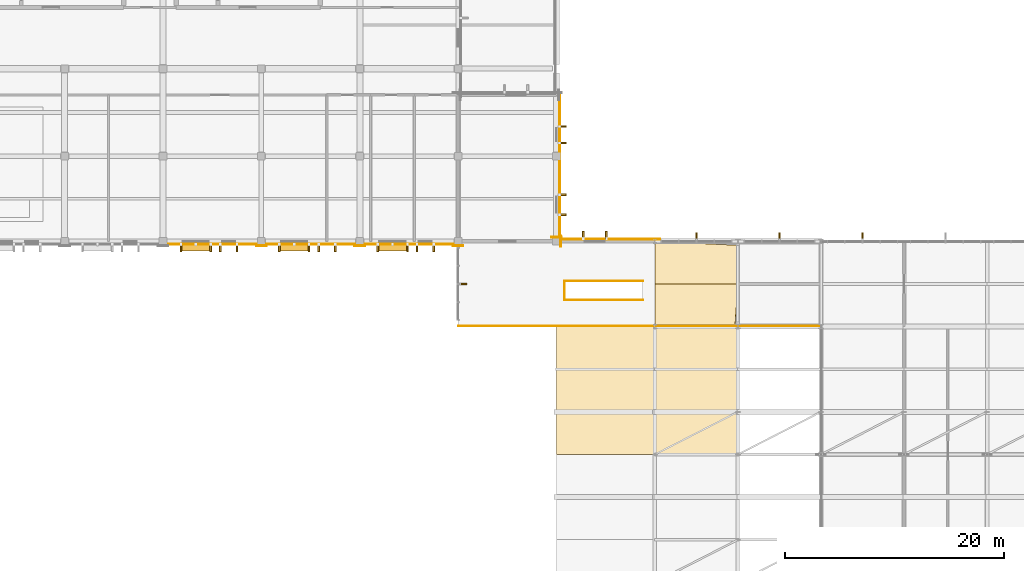
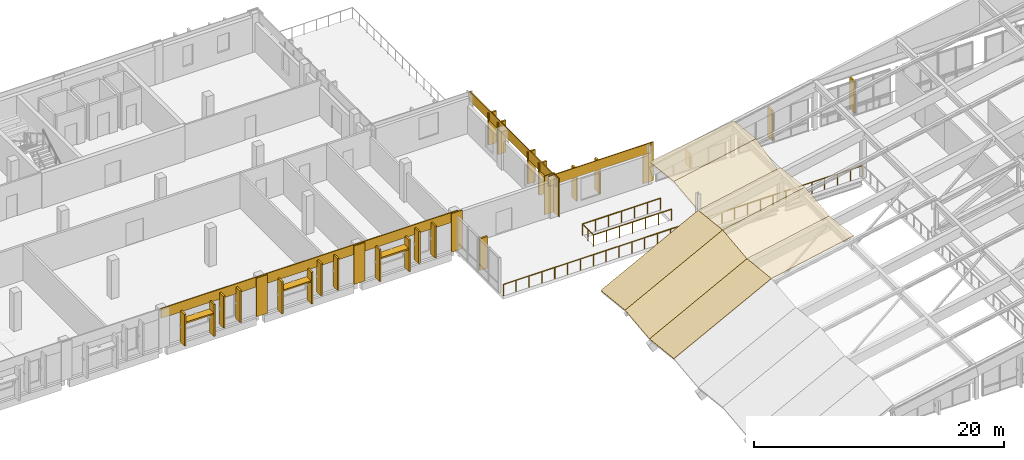
# One storey, part 69 of 73: 25 shading devices, 19 coverings, 4 railings.
"""IFC4 building model written with IfcOpenShell, lengths in metres."""

from ifc_helpers import new_model, si_unit, direction, frame, origin, origin_2d, place, context, subcontext, project, spatial, polyline, rectangle, circle, outline, extrude, material, layer, layer_set, type_object, element, save


model = new_model("IFC4")

# Units and contexts
model_context = context("Model", 3, precision=1e-05, world=origin(), true_north=direction((0.0, 1.0)))
body_context = subcontext(model_context, "Body", "Model", "MODEL_VIEW")
ifc_project = project(units=[si_unit("LENGTHUNIT", "METRE"), si_unit("AREAUNIT", "SQUARE_METRE"), si_unit("VOLUMEUNIT", "CUBIC_METRE"), si_unit("PLANEANGLEUNIT", "RADIAN"), si_unit("MASSUNIT", "GRAM", prefix="KILO")], contexts=[model_context])

# Site, building, storey
site_placement = place(None, origin())
site = spatial("IfcSite", under=ifc_project, at=site_placement, CompositionType="ELEMENT")
building_placement = place(site_placement, origin())
building = spatial("IfcBuilding", under=site, at=building_placement, Name="Vervanel Yard Central Library", CompositionType="ELEMENT")
storey_placement = place(building_placement, frame((0.0, 0.0, 12.780029296875)))
storey = spatial("IfcBuildingStorey", under=building, at=storey_placement, Name="L03", CompositionType="ELEMENT", Elevation=12.780029296875)

# Coverings
ifc_material_1 = material(Name="Precast concrete C45/55", Category="concrete")
ifc_layer_1 = layer(ifc_material_1, 0.0849609375, Category="concrete")
ifc_layer_set_1 = layer_set([ifc_layer_1], Name="Precast concrete C45/55")
covering_type_1 = type_object("IfcCoveringType", Name="Bush-Hammered Precast Architectural Cladding Panel", PredefinedType="CLADDING", material=ifc_layer_set_1)
covering_1_placement = place(storey_placement, frame((67.5, 81.949951171875, 2.800048828125), z_axis=(0.0, 0.0, 1.0), x_axis=(1.0, 0.0, 0.0)))
element("IfcCovering", 1, at=covering_1_placement, inside=storey, type_object=covering_type_1, Name="L03 Precast Concrete Spandrel Cornice EWALL-L03-0053", PredefinedType="CLADDING", context=body_context, shape_type="SweptSolid", body=[
    extrude(rectangle(XDim=9.449951171875, YDim=0.0849609375, at=origin_2d()), origin(), (0.0, 0.0, 1.0), 0.9599609375),
])
covering_2_placement = place(storey_placement, frame((72.0, 81.8076171875, 0.0), z_axis=(0.0, 0.0, 1.0), x_axis=(1.0, 0.0, 0.0)))
element("IfcCovering", 2, at=covering_2_placement, inside=storey, type_object=covering_type_1, Name="L03 Precast Concrete Pier Pilaster EWALL-L03-0053-B", PredefinedType="CLADDING", context=body_context, shape_type="SweptSolid", body=[
    extrude(rectangle(XDim=0.97998046875, YDim=0.0849609375, at=origin_2d()), origin(), (0.0, 0.0, 1.0), 3.760009765625),
])
covering_3_placement = place(storey_placement, frame((76.5, 81.949951171875, 2.800048828125), z_axis=(0.0, 0.0, 1.0), x_axis=(1.0, 0.0, 0.0)))
element("IfcCovering", 3, at=covering_3_placement, inside=storey, type_object=covering_type_1, Name="L03 Precast Concrete Spandrel Cornice EWALL-L03-0054", PredefinedType="CLADDING", context=body_context, shape_type="SweptSolid", body=[
    extrude(rectangle(XDim=9.449951171875, YDim=0.0849609375, at=origin_2d()), origin(), (0.0, 0.0, 1.0), 0.9599609375),
])
covering_4_placement = place(storey_placement, frame((81.0, 81.8076171875, 0.0), z_axis=(0.0, 0.0, 1.0), x_axis=(1.0, 0.0, 0.0)))
element("IfcCovering", 4, at=covering_4_placement, inside=storey, type_object=covering_type_1, Name="L03 Precast Concrete Pier Pilaster EWALL-L03-0054-B", PredefinedType="CLADDING", context=body_context, shape_type="SweptSolid", body=[
    extrude(rectangle(XDim=0.97998046875, YDim=0.0849609375, at=origin_2d()), origin(), (0.0, 0.0, 1.0), 3.760009765625),
])
covering_5_placement = place(storey_placement, frame((85.5, 81.949951171875, 2.800048828125), z_axis=(0.0, 0.0, 1.0), x_axis=(1.0, 0.0, 0.0)))
element("IfcCovering", 5, at=covering_5_placement, inside=storey, type_object=covering_type_1, Name="L03 Precast Concrete Spandrel Cornice EWALL-L03-0055", PredefinedType="CLADDING", context=body_context, shape_type="SweptSolid", body=[
    extrude(rectangle(XDim=9.449951171875, YDim=0.0849609375, at=origin_2d()), origin(), (0.0, 0.0, 1.0), 0.9599609375),
])
covering_6_placement = place(storey_placement, frame((90.0, 81.8076171875, 0.0), z_axis=(0.0, 0.0, 1.0), x_axis=(1.0, 0.0, 0.0)))
element("IfcCovering", 6, at=covering_6_placement, inside=storey, type_object=covering_type_1, Name="L03 Precast Concrete Pier Pilaster EWALL-L03-0055-B", PredefinedType="CLADDING", context=body_context, shape_type="SweptSolid", body=[
    extrude(rectangle(XDim=0.97998046875, YDim=0.0849609375, at=origin_2d()), origin(), (0.0, 0.0, 1.0), 3.760009765625),
])
covering_7_placement = place(storey_placement, frame((99.31494140625, 88.89990234375, 2.800048828125), z_axis=(0.0, 0.0, 1.0), x_axis=(0.0, 1.0, 0.0)))
element("IfcCovering", 7, at=covering_7_placement, inside=storey, type_object=covering_type_1, Name="L03 Precast Concrete Spandrel Cornice EWALL-L03-0057", PredefinedType="CLADDING", context=body_context, shape_type="SweptSolid", body=[
    extrude(rectangle(XDim=13.85009765625, YDim=0.0849609375, at=origin_2d()), origin(), (0.0, 0.0, 1.0), 0.9599609375),
])
covering_8_placement = place(storey_placement, frame((99.392578125, 82.199951171875, 0.0), z_axis=(0.0, 0.0, 1.0), x_axis=(0.0, 1.0, 0.0)))
element("IfcCovering", 8, at=covering_8_placement, inside=storey, type_object=covering_type_1, Name="L03 Precast Concrete Pier Pilaster EWALL-L03-0057-A", PredefinedType="CLADDING", context=body_context, shape_type="SweptSolid", body=[
    extrude(rectangle(XDim=0.97998046875, YDim=0.0849609375, at=origin_2d()), origin(), (0.0, 0.0, 1.0), 3.760009765625),
])
covering_9_placement = place(storey_placement, frame((103.5, 82.40380859375, 2.800048828125), z_axis=(0.0, 0.0, 1.0), x_axis=(1.0, 0.0, 0.0)))
element("IfcCovering", 9, at=covering_9_placement, inside=storey, type_object=covering_type_1, Name="L03 Precast Concrete Spandrel Cornice EWALL-L03-0170", PredefinedType="CLADDING", context=body_context, shape_type="SweptSolid", body=[
    extrude(rectangle(XDim=9.449951171875, YDim=0.0849609375, at=origin_2d()), origin(), (0.0, 0.0, 1.0), 0.9599609375),
])
for number, where, z_axis, x_axis, name in (
    (10, (99.0, 82.592529296875, 0.0), (0.0, 0.0, 1.0), (1.0, 0.0, 0.0), "L03 Precast Concrete Pier Pilaster EWALL-L03-0170-A"),
    (11, (108.0, 82.40625, 0.0), (0.0, 0.0, 1.0), (1.0, 0.0, 0.0), "L03 Precast Concrete Pier Pilaster EWALL-L03-0170-B"),
):
    element("IfcCovering", number, at=place(storey_placement, frame(where, z_axis=z_axis, x_axis=x_axis)), inside=storey, type_object=covering_type_1, Name=name, PredefinedType="CLADDING", context=body_context, shape_type="SweptSolid", body=[
        extrude(rectangle(XDim=0.97998046875, YDim=0.0849609375, at=origin_2d()), origin(), (0.0, 0.0, 1.0), 3.760009765625),
    ])

# Railings
ifc_material_2 = material(Name="Brushed stainless steel AISI 316", Category="steel")
railing_type = type_object("IfcRailingType", Name="Glazed Atrium & Gallery Balustrade 1120", PredefinedType="BALUSTRADE", material=ifc_material_2)
railing_1_placement = place(storey_placement, frame((99.739990234375, 76.820068359375, 0.0)))
element("IfcRailing", 12, at=railing_1_placement, inside=storey, type_object=railing_type, Name="L03 Void Guard FST-04-L02-WELLGD S", PredefinedType="BALUSTRADE", context=body_context, shape_type="SweptSolid", body=[
    extrude(circle(Radius=0.02392578125, at=origin_2d()), frame((0.0, 0.0, 1.09619140625), z_axis=(1.0, 0.0, 0.0), x_axis=(0.0, 1.0, 0.0)), (0.0, 0.0, 1.0), 7.18505859375),
    extrude(circle(Radius=0.02099609375, at=origin_2d()), origin(), (0.0, 0.0, 1.0), 1.072021484375),
    extrude(circle(Radius=0.02099609375, at=origin_2d()), frame((1.197509765625, 0.0, 0.0)), (0.0, 0.0, 1.0), 1.072021484375),
    extrude(circle(Radius=0.02099609375, at=origin_2d()), frame((2.39501953125, 0.0, 0.0)), (0.0, 0.0, 1.0), 1.072021484375),
    extrude(circle(Radius=0.02099609375, at=origin_2d()), frame((3.592529296875, 0.0, 0.0)), (0.0, 0.0, 1.0), 1.072021484375),
    extrude(circle(Radius=0.02099609375, at=origin_2d()), frame((4.7900390625, 0.0, 0.0)), (0.0, 0.0, 1.0), 1.072021484375),
    extrude(circle(Radius=0.02099609375, at=origin_2d()), frame((5.987548828125, 0.0, 0.0)), (0.0, 0.0, 1.0), 1.072021484375),
    extrude(circle(Radius=0.02099609375, at=origin_2d()), frame((7.18505859375, 0.0, 0.0)), (0.0, 0.0, 1.0), 1.072021484375),
])
railing_2_placement = place(storey_placement, frame((106.925048828125, 78.580078125, 0.0)))
element("IfcRailing", 13, at=railing_2_placement, inside=storey, type_object=railing_type, Name="L03 Void Guard FST-04-L02-WELLGD N", PredefinedType="BALUSTRADE", context=body_context, shape_type="SweptSolid", body=[
    extrude(circle(Radius=0.02392578125, at=origin_2d()), frame((0.0, 0.0, 1.09619140625), z_axis=(-1.0, 0.0, 0.0), x_axis=(0.0, -1.0, 0.0)), (0.0, 0.0, 1.0), 7.18505859375),
    extrude(circle(Radius=0.02099609375, at=origin_2d()), origin(), (0.0, 0.0, 1.0), 1.072021484375),
    extrude(circle(Radius=0.02099609375, at=origin_2d()), frame((-1.197509765625, 0.0, 0.0)), (0.0, 0.0, 1.0), 1.072021484375),
    extrude(circle(Radius=0.02099609375, at=origin_2d()), frame((-2.39501953125, 0.0, 0.0)), (0.0, 0.0, 1.0), 1.072021484375),
    extrude(circle(Radius=0.02099609375, at=origin_2d()), frame((-3.592529296875, 0.0, 0.0)), (0.0, 0.0, 1.0), 1.072021484375),
    extrude(circle(Radius=0.02099609375, at=origin_2d()), frame((-4.7900390625, 0.0, 0.0)), (0.0, 0.0, 1.0), 1.072021484375),
    extrude(circle(Radius=0.02099609375, at=origin_2d()), frame((-5.987548828125, 0.0, 0.0)), (0.0, 0.0, 1.0), 1.072021484375),
    extrude(circle(Radius=0.02099609375, at=origin_2d()), frame((-7.18505859375, 0.0, 0.0)), (0.0, 0.0, 1.0), 1.072021484375),
])
railing_3_placement = place(storey_placement, frame((99.739990234375, 78.580078125, 0.0)))
element("IfcRailing", 14, at=railing_3_placement, inside=storey, type_object=railing_type, Name="L03 Void Guard FST-04-L02-WELLGD W", PredefinedType="BALUSTRADE", context=body_context, shape_type="SweptSolid", body=[
    extrude(circle(Radius=0.02392578125, at=origin_2d()), frame((0.0, 0.0, 1.09619140625), z_axis=(0.0, -1.0, 0.0), x_axis=(1.0, 0.0, 0.0)), (0.0, 0.0, 1.0), 1.760009765625),
    extrude(circle(Radius=0.02099609375, at=origin_2d()), origin(), (0.0, 0.0, 1.0), 1.072021484375),
    extrude(circle(Radius=0.02099609375, at=origin_2d()), frame((0.0, -0.8798828125, 0.0)), (0.0, 0.0, 1.0), 1.072021484375),
    extrude(circle(Radius=0.02099609375, at=origin_2d()), frame((0.0, -1.760009765625, 0.0)), (0.0, 0.0, 1.0), 1.072021484375),
])
railing_4_placement = place(storey_placement, frame((90.050048828125, 74.449951171875, 0.0)))
element("IfcRailing", 15, at=railing_4_placement, inside=storey, type_object=railing_type, Name="L03 Perimeter Gap Guard V3-L03-STEP-S", PredefinedType="BALUSTRADE", context=body_context, shape_type="SweptSolid", body=[
    extrude(circle(Radius=0.02392578125, at=origin_2d()), frame((0.0, 0.0, 1.09619140625), z_axis=(1.0, 0.0, 0.0), x_axis=(0.0, 1.0, 0.0)), (0.0, 0.0, 1.0), 33.199951171875),
    extrude(circle(Radius=0.02099609375, at=origin_2d()), origin(), (0.0, 0.0, 1.0), 1.072021484375),
    extrude(circle(Radius=0.02099609375, at=origin_2d()), frame((1.185791015625, 0.0, 0.0)), (0.0, 0.0, 1.0), 1.072021484375),
    extrude(circle(Radius=0.02099609375, at=origin_2d()), frame((2.371337890625, 0.0, 0.0)), (0.0, 0.0, 1.0), 1.072021484375),
    extrude(circle(Radius=0.02099609375, at=origin_2d()), frame((3.55712890625, 0.0, 0.0)), (0.0, 0.0, 1.0), 1.072021484375),
    extrude(circle(Radius=0.02099609375, at=origin_2d()), frame((4.742919921875, 0.0, 0.0)), (0.0, 0.0, 1.0), 1.072021484375),
    extrude(circle(Radius=0.02099609375, at=origin_2d()), frame((5.928466796875, 0.0, 0.0)), (0.0, 0.0, 1.0), 1.072021484375),
    extrude(circle(Radius=0.02099609375, at=origin_2d()), frame((7.1142578125, 0.0, 0.0)), (0.0, 0.0, 1.0), 1.072021484375),
    extrude(circle(Radius=0.02099609375, at=origin_2d()), frame((8.300048828125, 0.0, 0.0)), (0.0, 0.0, 1.0), 1.072021484375),
    extrude(circle(Radius=0.02099609375, at=origin_2d()), frame((9.485595703125, 0.0, 0.0)), (0.0, 0.0, 1.0), 1.072021484375),
    extrude(circle(Radius=0.02099609375, at=origin_2d()), frame((10.67138671875, 0.0, 0.0)), (0.0, 0.0, 1.0), 1.072021484375),
    extrude(circle(Radius=0.02099609375, at=origin_2d()), frame((11.857177734375, 0.0, 0.0)), (0.0, 0.0, 1.0), 1.072021484375),
    extrude(circle(Radius=0.02099609375, at=origin_2d()), frame((13.042724609375, 0.0, 0.0)), (0.0, 0.0, 1.0), 1.072021484375),
    extrude(circle(Radius=0.02099609375, at=origin_2d()), frame((14.228515625, 0.0, 0.0)), (0.0, 0.0, 1.0), 1.072021484375),
    extrude(circle(Radius=0.02099609375, at=origin_2d()), frame((15.414306640625, 0.0, 0.0)), (0.0, 0.0, 1.0), 1.072021484375),
    extrude(circle(Radius=0.02099609375, at=origin_2d()), frame((16.60009765625, 0.0, 0.0)), (0.0, 0.0, 1.0), 1.072021484375),
    extrude(circle(Radius=0.02099609375, at=origin_2d()), frame((17.78564453125, 0.0, 0.0)), (0.0, 0.0, 1.0), 1.072021484375),
    extrude(circle(Radius=0.02099609375, at=origin_2d()), frame((18.971435546875, 0.0, 0.0)), (0.0, 0.0, 1.0), 1.072021484375),
    extrude(circle(Radius=0.02099609375, at=origin_2d()), frame((20.1572265625, 0.0, 0.0)), (0.0, 0.0, 1.0), 1.072021484375),
    extrude(circle(Radius=0.02099609375, at=origin_2d()), frame((21.3427734375, 0.0, 0.0)), (0.0, 0.0, 1.0), 1.072021484375),
    extrude(circle(Radius=0.02099609375, at=origin_2d()), frame((22.528564453125, 0.0, 0.0)), (0.0, 0.0, 1.0), 1.072021484375),
    extrude(circle(Radius=0.02099609375, at=origin_2d()), frame((23.71435546875, 0.0, 0.0)), (0.0, 0.0, 1.0), 1.072021484375),
    extrude(circle(Radius=0.02099609375, at=origin_2d()), frame((24.89990234375, 0.0, 0.0)), (0.0, 0.0, 1.0), 1.072021484375),
    extrude(circle(Radius=0.02099609375, at=origin_2d()), frame((26.085693359375, 0.0, 0.0)), (0.0, 0.0, 1.0), 1.072021484375),
    extrude(circle(Radius=0.02099609375, at=origin_2d()), frame((27.271484375, 0.0, 0.0)), (0.0, 0.0, 1.0), 1.072021484375),
    extrude(circle(Radius=0.02099609375, at=origin_2d()), frame((28.45703125, 0.0, 0.0)), (0.0, 0.0, 1.0), 1.072021484375),
    extrude(circle(Radius=0.02099609375, at=origin_2d()), frame((29.642822265625, 0.0, 0.0)), (0.0, 0.0, 1.0), 1.072021484375),
    extrude(circle(Radius=0.02099609375, at=origin_2d()), frame((30.82861328125, 0.0, 0.0)), (0.0, 0.0, 1.0), 1.072021484375),
    extrude(circle(Radius=0.02099609375, at=origin_2d()), frame((32.01416015625, 0.0, 0.0)), (0.0, 0.0, 1.0), 1.072021484375),
    extrude(circle(Radius=0.02099609375, at=origin_2d()), frame((33.199951171875, 0.0, 0.0)), (0.0, 0.0, 1.0), 1.072021484375),
])

# Shading devices
shading_device_type_1 = type_object("IfcShadingDeviceType", Name="Horizontal Precast Brise-Soleil Sunhood 2600x680x140", PredefinedType="JALOUSIE", material=ifc_material_1)
for number, where, z_axis, x_axis, name in (
    (16, (66.0, 81.659912109375, 1.97998046875), (0.0, 0.0, 1.0), (1.0, 0.0, 0.0), "L03 Precast Horizontal Sunhood 20"),
    (17, (75.0, 81.659912109375, 1.97998046875), (0.0, 0.0, 1.0), (1.0, 0.0, 0.0), "L03 Precast Horizontal Sunhood 21"),
    (18, (84.0, 81.659912109375, 1.97998046875), (0.0, 0.0, 1.0), (1.0, 0.0, 0.0), "L03 Precast Horizontal Sunhood 22"),
):
    element("IfcShadingDevice", number, at=place(storey_placement, frame(where, z_axis=z_axis, x_axis=x_axis)), inside=storey, type_object=shading_device_type_1, Name=name, PredefinedType="JALOUSIE", context=body_context, shape_type="SweptSolid", body=[
        extrude(rectangle(XDim=2.60009765625, YDim=0.679931640625, at=origin_2d()), origin(), (0.0, 0.0, 1.0), 0.139892578125),
    ])

# Coverings
ifc_material_3 = material(Name="Standing-seam dark zinc-coated metal roofing", Category="metal")
ifc_layer_2 = layer(ifc_material_3, 0.06494140625, Category="metal")
ifc_layer_set_2 = layer_set([ifc_layer_2], Name="Standing-seam dark zinc-coated metal roofing")
covering_type_2 = type_object("IfcCoveringType", Name="Standing-Seam Dark Zinc Roof Assembly", PredefinedType="ROOFING", material=ifc_layer_set_2)
covering_10_placement = place(storey_placement, frame((99.0, 62.699951171875, -2.149658203125), z_axis=(-0.458693072844, 0.099029782554, 0.883059322522), x_axis=(0.887421421211, -1.052569e-06, 0.460959023314)))
element("IfcCovering", 19, at=covering_10_placement, inside=storey, type_object=covering_type_2, Name="Standing-Seam Zinc Roofing V3-FLK-B2-S06", PredefinedType="ROOFING", context=body_context, shape_type="SweptSolid", body=[
    extrude(outline(polyline([(0.0, 0.0), (10.141798732657492, 5.551115123125783e-17), (9.940125054782314, 3.9194229888613887), (-0.2015611390511266, 3.9194015336202823), (0.0, 0.0)])), origin(), (0.0, 0.0, -1.0), 0.06494140625),
])
covering_11_placement = place(storey_placement, frame((99.0, 66.60009765625, -2.5869140625), z_axis=(-0.45869279123, -0.099035921186, 0.88305878037), x_axis=(0.887421517789, -1.052646e-06, 0.460958837386)))
element("IfcCovering", 20, at=covering_11_placement, inside=storey, type_object=covering_type_2, Name="Standing-Seam Zinc Roofing V3-FLK-B2-S07", PredefinedType="ROOFING", context=body_context, shape_type="SweptSolid", body=[
    extrude(outline(polyline([(0.0, 0.0), (10.141686193856135, 0.0), (10.343351579996762, 3.919180475711686), (0.20155284736196882, 3.9191590189025214), (0.0, 0.0)])), origin(), (0.0, 0.0, -1.0), 0.06494140625),
])
covering_12_placement = place(storey_placement, frame((99.0, 70.5, -2.149658203125), z_axis=(-0.45869279123, 0.099035921186, 0.88305878037), x_axis=(0.887421421205, -1.052634e-06, 0.460959023326)))
element("IfcCovering", 21, at=covering_12_placement, inside=storey, type_object=covering_type_2, Name="Standing-Seam Zinc Roofing V3-FLK-B2-S08", PredefinedType="ROOFING", context=body_context, shape_type="SweptSolid", body=[
    extrude(outline(polyline([(0.0, 0.0), (10.141798732657492, 5.551115123125783e-17), (9.940125054782314, 3.919180049043323), (-0.20156113905112522, 3.919158592472255), (0.0, 0.0)])), origin(), (0.0, 0.0, -1.0), 0.06494140625),
])
covering_13_placement = place(storey_placement, frame((108.0, 62.699951171875, 2.525390625), z_axis=(-0.194578868507, 0.109345441854, 0.974773121437), x_axis=(0.980653304953, 0.0, 0.195752638515)))
element("IfcCovering", 22, at=covering_13_placement, inside=storey, type_object=covering_type_2, Name="Standing-Seam Zinc Roofing V3-FS-B1-S06", PredefinedType="ROOFING", context=body_context, shape_type="SweptSolid", body=[
    extrude(outline(polyline([(0.0, 0.0), (7.750035224342283, 0.0), (7.6643934449919255, 3.9236735765367103), (-0.08564177935035812, 3.92367357653671), (0.0, 0.0)])), origin(), (0.0, 0.0, -1.0), 0.06494140625),
])
covering_14_placement = place(storey_placement, frame((108.0, 66.60009765625, 2.087890625), z_axis=(-0.194578722861, -0.109352205216, 0.974772391804), x_axis=(0.980653304953, 0.0, 0.195752638515)))
element("IfcCovering", 23, at=covering_14_placement, inside=storey, type_object=covering_type_2, Name="Standing-Seam Zinc Roofing V3-FS-B1-S07", PredefinedType="ROOFING", context=body_context, shape_type="SweptSolid", body=[
    extrude(outline(polyline([(0.0, 0.0), (7.750035224342283, 0.0), (7.835677003692641, 3.9234308999160996), (0.08564177935035812, 3.923430899916099), (0.0, 0.0)])), origin(), (0.0, 0.0, -1.0), 0.06494140625),
])
covering_15_placement = place(storey_placement, frame((108.0, 70.5, 2.525390625), z_axis=(-0.194578722861, 0.109352205216, 0.974772391804), x_axis=(0.980653304953, 0.0, 0.195752638515)))
element("IfcCovering", 24, at=covering_15_placement, inside=storey, type_object=covering_type_2, Name="Standing-Seam Zinc Roofing V3-FS-B1-S08", PredefinedType="ROOFING", context=body_context, shape_type="SweptSolid", body=[
    extrude(outline(polyline([(0.0, 0.0), (7.750035224342283, 0.0), (7.6643934449919255, 3.9234308999160996), (-0.08564177935035812, 3.923430899916099), (0.0, 0.0)])), origin(), (0.0, 0.0, -1.0), 0.06494140625),
])
covering_16_placement = place(storey_placement, frame((108.0, 74.39990234375, 2.087890625), z_axis=(-0.194578193846, -0.109346750469, 0.974773109314), x_axis=(0.980653436389, -7.4843e-08, 0.19575198006)))
element("IfcCovering", 25, at=covering_16_placement, inside=storey, type_object=covering_type_2, Name="Standing-Seam Zinc Roofing V3-FS-B1-S09", PredefinedType="ROOFING", context=body_context, shape_type="SweptSolid", body=[
    extrude(outline(polyline([(0.0, 0.0), (7.464479390606988, 2.7755575615628914e-17), (7.835676423718968, 3.9236747347588308), (0.0856411993784541, 3.9236735891923513), (0.0, 0.0)])), origin(), (0.0, 0.0, -1.0), 0.06494140625),
])
covering_17_placement = place(storey_placement, frame((108.0, 78.300048828125, 2.525390625), z_axis=(-0.194589319775, 0.109331649473, 0.974772582223), x_axis=(0.980651290106, 1.132088e-06, 0.195762731929)))
element("IfcCovering", 26, at=covering_17_placement, inside=storey, type_object=covering_type_2, Name="Standing-Seam Zinc Roofing V3-FS-B1-S10", PredefinedType="ROOFING", context=body_context, shape_type="SweptSolid", body=[
    extrude(outline(polyline([(0.0, 0.0), (7.750035223926811, 0.0), (7.672326779874303, 3.5613796828082154), (-0.08564178018589433, 3.9234308990771685), (0.0, 0.0)])), origin(), (0.0, 0.0, -1.0), 0.06494140625),
])

# Shading devices
shading_device_type_2 = type_object("IfcShadingDeviceType", Name="Vertical Precast Solar Fin 160x720x3200", PredefinedType="JALOUSIE", material=ifc_material_1)
for number, where, z_axis, x_axis, name in (
    (27, (64.639892578125, 81.6298828125, -0.150146484375), (0.0, 0.0, 1.0), (1.0, 0.0, 0.0), "L03 Precast Solar Fin 149"),
    (28, (67.360107421875, 81.6298828125, -0.150146484375), (0.0, 0.0, 1.0), (1.0, 0.0, 0.0), "L03 Precast Solar Fin 150"),
    (29, (68.239990234375, 81.6298828125, 0.349853515625), (0.0, 0.0, 1.0), (1.0, 0.0, 0.0), "L03 Precast Solar Fin 151"),
    (30, (69.760009765625, 81.6298828125, 0.349853515625), (0.0, 0.0, 1.0), (1.0, 0.0, 0.0), "L03 Precast Solar Fin 152"),
    (31, (73.639892578125, 81.6298828125, -0.150146484375), (0.0, 0.0, 1.0), (1.0, 0.0, 0.0), "L03 Precast Solar Fin 153"),
    (32, (76.360107421875, 81.6298828125, -0.150146484375), (0.0, 0.0, 1.0), (1.0, 0.0, 0.0), "L03 Precast Solar Fin 154"),
    (33, (77.239990234375, 81.6298828125, 0.349853515625), (0.0, 0.0, 1.0), (1.0, 0.0, 0.0), "L03 Precast Solar Fin 155"),
    (34, (78.760009765625, 81.6298828125, 0.349853515625), (0.0, 0.0, 1.0), (1.0, 0.0, 0.0), "L03 Precast Solar Fin 156"),
    (35, (82.639892578125, 81.6298828125, -0.150146484375), (0.0, 0.0, 1.0), (1.0, 0.0, 0.0), "L03 Precast Solar Fin 157"),
    (36, (85.360107421875, 81.6298828125, -0.150146484375), (0.0, 0.0, 1.0), (1.0, 0.0, 0.0), "L03 Precast Solar Fin 158"),
    (37, (86.239990234375, 81.6298828125, 0.349853515625), (0.0, 0.0, 1.0), (1.0, 0.0, 0.0), "L03 Precast Solar Fin 159"),
    (38, (87.760009765625, 81.6298828125, 0.349853515625), (0.0, 0.0, 1.0), (1.0, 0.0, 0.0), "L03 Precast Solar Fin 160"),
    (39, (99.550048828125, 84.639892578125, 0.449951171875), (0.0, 0.0, 1.0), (0.0, 1.0, 0.0), "L03 Precast Solar Fin 167"),
    (40, (99.550048828125, 86.4599609375, 0.449951171875), (0.0, 0.0, 1.0), (0.0, 1.0, 0.0), "L03 Precast Solar Fin 168"),
    (41, (99.550048828125, 91.18994140625, 0.449951171875), (0.0, 0.0, 1.0), (0.0, 1.0, 0.0), "L03 Precast Solar Fin 169"),
    (42, (99.550048828125, 92.7099609375, 0.449951171875), (0.0, 0.0, 1.0), (0.0, 1.0, 0.0), "L03 Precast Solar Fin 170"),
    (43, (90.409912109375, 78.300048828125, 0.14990234375), (0.0, 0.0, 1.0), (0.0, 1.0, 0.0), "L03 Precast Solar Fin 440"),
    (44, (101.43994140625, 82.75, 0.39990234375), (0.0, 0.0, 1.0), (1.0, 0.0, 0.0), "L03 Precast Solar Fin 477"),
    (45, (103.56005859375, 82.75, 0.39990234375), (0.0, 0.0, 1.0), (1.0, 0.0, 0.0), "L03 Precast Solar Fin 478"),
):
    element("IfcShadingDevice", number, at=place(storey_placement, frame(where, z_axis=z_axis, x_axis=x_axis)), inside=storey, type_object=shading_device_type_2, Name=name, PredefinedType="JALOUSIE", context=body_context, shape_type="SweptSolid", body=[
        extrude(rectangle(XDim=0.159912109375, YDim=0.719970703125, at=origin_2d()), origin(), (0.0, 0.0, 1.0), 3.10009765625),
    ])
shading_device_1_placement = place(storey_placement, frame((111.800048828125, 82.610107421875, 0.150146484375), z_axis=(0.0, 0.0, 1.0), x_axis=(1.0, 0.0, 0.0)))
element("IfcShadingDevice", 46, at=shading_device_1_placement, inside=storey, type_object=shading_device_type_2, Name="L03 Precast Solar Fin 479", PredefinedType="JALOUSIE", context=body_context, shape_type="SweptSolid", body=[
    extrude(rectangle(XDim=0.159912109375, YDim=0.719970703125, at=origin_2d()), origin(), (0.0, 0.0, 1.0), 1.3798828125),
])
shading_device_2_placement = place(storey_placement, frame((119.39990234375, 82.610107421875, 0.150146484375), z_axis=(0.0, 0.0, 1.0), x_axis=(1.0, 0.0, 0.0)))
element("IfcShadingDevice", 47, at=shading_device_2_placement, inside=storey, type_object=shading_device_type_2, Name="L03 Precast Solar Fin 480", PredefinedType="JALOUSIE", context=body_context, shape_type="SweptSolid", body=[
    extrude(rectangle(XDim=0.159912109375, YDim=0.719970703125, at=origin_2d()), origin(), (0.0, 0.0, 1.0), 2.89697265625),
])
shading_device_3_placement = place(storey_placement, frame((127.0, 82.610107421875, 0.14990234375), z_axis=(0.0, 0.0, 1.0), x_axis=(1.0, 0.0, 0.0)))
element("IfcShadingDevice", 48, at=shading_device_3_placement, inside=storey, type_object=shading_device_type_2, Name="L03 Precast Solar Fin 481", PredefinedType="JALOUSIE", context=body_context, shape_type="SweptSolid", body=[
    extrude(rectangle(XDim=0.159912109375, YDim=0.719970703125, at=origin_2d()), origin(), (0.0, 0.0, 1.0), 3.10009765625),
])

save(model, "model.ifc")
